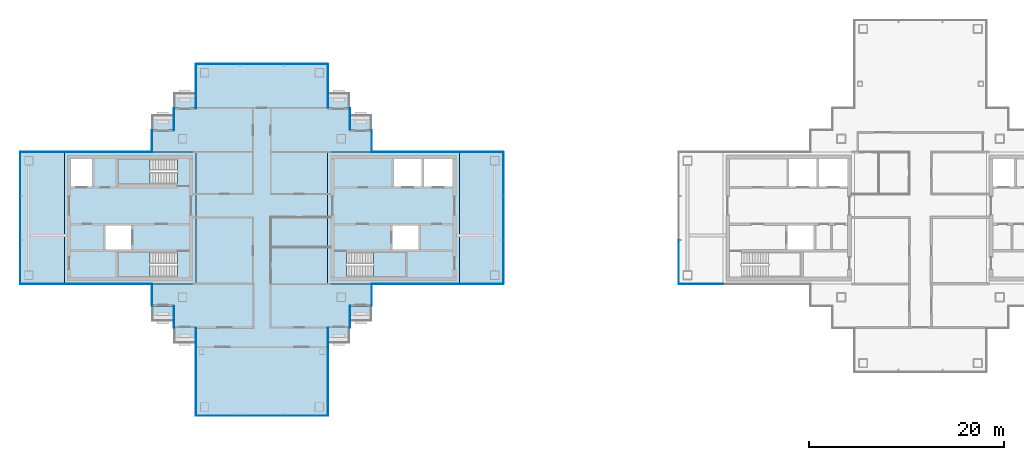
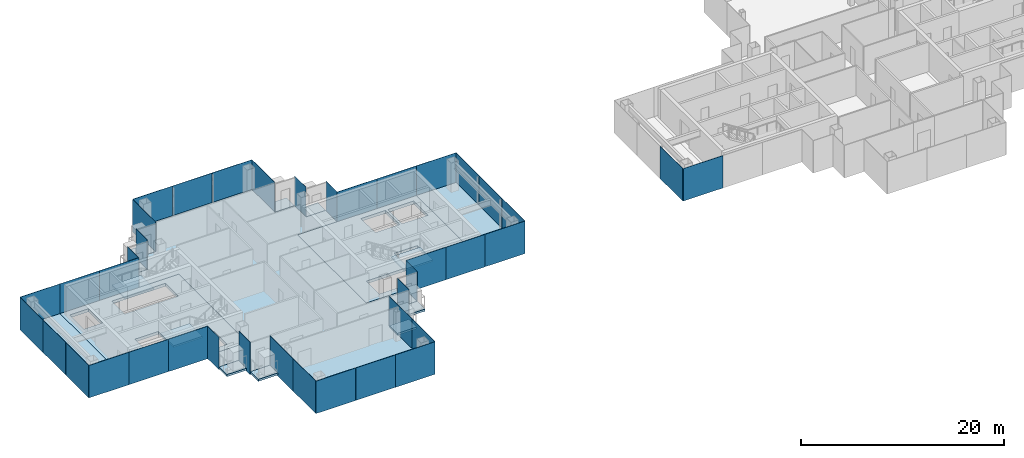
# One storey, part 7 of 16: 40 plates, 16 slabs, 25 elements without a shape of their own.
"""IFC4 building model written with IfcOpenShell, lengths in metres."""

from ifc_helpers import new_model, si_unit, direction, frame, origin, origin_2d, place, context, subcontext, project, spatial, polyline, rectangle, outline, extrude, material, layer, layer_set, type_object, element, aggregate, save


model = new_model("IFC4")

# Units and contexts
model_context = context("Model", 3, precision=1e-05, world=origin(), true_north=direction((0.0, 1.0)))
body_context = subcontext(model_context, "Body", "Model", "MODEL_VIEW")
ifc_project = project(units=[si_unit("LENGTHUNIT", "METRE"), si_unit("AREAUNIT", "SQUARE_METRE"), si_unit("VOLUMEUNIT", "CUBIC_METRE"), si_unit("PLANEANGLEUNIT", "RADIAN"), si_unit("MASSUNIT", "GRAM", prefix="KILO")], contexts=[model_context])

# Site, building, storey
site_placement = place(None, origin())
site = spatial("IfcSite", under=ifc_project, at=site_placement, CompositionType="ELEMENT")
building_placement = place(site_placement, origin())
building = spatial("IfcBuilding", under=site, at=building_placement, Name="Shamsa Quay Exchange Towers", CompositionType="ELEMENT")
storey_placement = place(building_placement, frame((0.0, 0.0, 265.5)))
storey = spatial("IfcBuildingStorey", under=building, at=storey_placement, Name="L64", CompositionType="ELEMENT", Elevation=265.5)

# Slabs
ifc_material_1 = material(Name="Precast concrete C40/50", Category="concrete")
ifc_layer_1 = layer(ifc_material_1, 0.25)
ifc_layer_set_1 = layer_set([ifc_layer_1], Name="BALCONY SLAB 250")
slab_type_1 = type_object("IfcSlabType", Name="BALCONY SLAB 250", PredefinedType="FLOOR", material=ifc_layer_set_1)
slab_1_placement = place(storey_placement, frame((0.0, 0.0, -0.25)))
element("IfcSlab", 1, at=slab_1_placement, inside=storey, type_object=slab_type_1, Name="Balcony T1-PKEN L64", PredefinedType="FLOOR", context=body_context, shape_type="SweptSolid", body=[
    extrude(outline(polyline([(-22.5, 9.0), (-24.7119140625, 9.0), (-24.7119140625, 10.550048828125), (-22.5, 10.550048828125), (-22.5, 9.0)])), origin(), (0.0, 0.0, 1.0), 0.25),
])
slab_2_placement = place(storey_placement, frame((0.0, 0.0, -0.25)))
element("IfcSlab", 2, at=slab_2_placement, inside=storey, type_object=slab_type_1, Name="Balcony T1-PKEN L64", PredefinedType="FLOOR", context=body_context, shape_type="SweptSolid", body=[
    extrude(outline(polyline([(-24.75, 11.25), (-26.9619140625, 11.25), (-26.9619140625, 12.800048828125), (-24.75, 12.800048828125), (-24.75, 11.25)])), origin(), (0.0, 0.0, 1.0), 0.25),
])
slab_3_placement = place(storey_placement, frame((0.0, 0.0, -0.25)))
element("IfcSlab", 3, at=slab_3_placement, inside=storey, type_object=slab_type_1, Name="Balcony T1-PKES L64", PredefinedType="FLOOR", context=body_context, shape_type="SweptSolid", body=[
    extrude(outline(polyline([(-24.7119140625, -9.0), (-22.5, -9.0), (-22.5, -10.550048828125), (-24.7119140625, -10.550048828125), (-24.7119140625, -9.0)])), origin(), (0.0, 0.0, 1.0), 0.25),
])
slab_4_placement = place(storey_placement, frame((0.0, 0.0, -0.25)))
element("IfcSlab", 4, at=slab_4_placement, inside=storey, type_object=slab_type_1, Name="Balcony T1-PKES L64", PredefinedType="FLOOR", context=body_context, shape_type="SweptSolid", body=[
    extrude(outline(polyline([(-26.9619140625, -11.25), (-24.75, -11.25), (-24.75, -12.800048828125), (-26.9619140625, -12.800048828125), (-26.9619140625, -11.25)])), origin(), (0.0, 0.0, 1.0), 0.25),
])
slab_5_placement = place(storey_placement, frame((0.0, 0.0, -0.25)))
element("IfcSlab", 5, at=slab_5_placement, inside=storey, type_object=slab_type_1, Name="Balcony T1-PKWN L64", PredefinedType="FLOOR", context=body_context, shape_type="SweptSolid", body=[
    extrude(outline(polyline([(-40.5380859375, 11.25), (-42.75, 11.25), (-42.75, 12.800048828125), (-40.5380859375, 12.800048828125), (-40.5380859375, 11.25)])), origin(), (0.0, 0.0, 1.0), 0.25),
])
slab_6_placement = place(storey_placement, frame((0.0, 0.0, -0.25)))
element("IfcSlab", 6, at=slab_6_placement, inside=storey, type_object=slab_type_1, Name="Balcony T1-PKWN L64", PredefinedType="FLOOR", context=body_context, shape_type="SweptSolid", body=[
    extrude(outline(polyline([(-42.7880859375, 9.0), (-45.0, 9.0), (-45.0, 10.550048828125), (-42.7880859375, 10.550048828125), (-42.7880859375, 9.0)])), origin(), (0.0, 0.0, 1.0), 0.25),
])
slab_7_placement = place(storey_placement, frame((0.0, 0.0, -0.25)))
element("IfcSlab", 7, at=slab_7_placement, inside=storey, type_object=slab_type_1, Name="Balcony T1-PKWS L64", PredefinedType="FLOOR", context=body_context, shape_type="SweptSolid", body=[
    extrude(outline(polyline([(-45.0, -9.0), (-42.7880859375, -9.0), (-42.7880859375, -10.550048828125), (-45.0, -10.550048828125), (-45.0, -9.0)])), origin(), (0.0, 0.0, 1.0), 0.25),
])
slab_8_placement = place(storey_placement, frame((0.0, 0.0, -0.25)))
element("IfcSlab", 8, at=slab_8_placement, inside=storey, type_object=slab_type_1, Name="Balcony T1-PKWS L64", PredefinedType="FLOOR", context=body_context, shape_type="SweptSolid", body=[
    extrude(outline(polyline([(-42.75, -11.25), (-40.5380859375, -11.25), (-40.5380859375, -12.800048828125), (-42.75, -12.800048828125), (-42.75, -11.25)])), origin(), (0.0, 0.0, 1.0), 0.25),
])
ifc_material_2 = material(Name="Concrete C50/60", Category="concrete")
ifc_layer_2 = layer(ifc_material_2, 0.35009765625)
ifc_layer_set_2 = layer_set([ifc_layer_2], Name="CORE FLOOR 350 C50/60")
slab_type_2 = type_object("IfcSlabType", Name="CORE FLOOR 350 C50/60", PredefinedType="FLOOR", material=ifc_layer_set_2)
slab_9_placement = place(storey_placement, frame((0.0, 0.0, -0.35009765625)))
element("IfcSlab", 9, at=slab_9_placement, inside=storey, type_object=slab_type_2, Name="Core floor T1A", PredefinedType="FLOOR", context=body_context, shape_type="SweptSolid", body=[
    extrude(outline(polyline([(-27.0, -6.75), (-13.5, -6.75), (-13.5, 6.75), (-27.0, 6.75), (-27.0, -6.75)]), holes=[polyline([(-25.099365234375, -6.050048828125), (-25.099365234375, -3.5), (-19.0, -3.5), (-19.0, -6.050048828125), (-25.099365234375, -6.050048828125)]), polyline([(-20.199951171875, 3.25), (-20.199951171875, 6.050048828125), (-17.39990234375, 6.050048828125), (-17.39990234375, 3.25), (-20.199951171875, 3.25)]), polyline([(-17.14990234375, 3.25), (-17.14990234375, 6.050048828125), (-14.199951171875, 6.050048828125), (-14.199951171875, 3.25), (-17.14990234375, 3.25)]), polyline([(-20.35009765625, -3.25), (-20.35009765625, -0.75), (-17.699951171875, -0.75), (-17.699951171875, -3.25), (-20.35009765625, -3.25)])]), origin(), (0.0, 0.0, 1.0), 0.35009765625),
])
slab_10_placement = place(storey_placement, frame((0.0, 0.0, -0.35009765625)))
element("IfcSlab", 10, at=slab_10_placement, inside=storey, type_object=slab_type_2, Name="Core floor T1B", PredefinedType="FLOOR", context=body_context, shape_type="SweptSolid", body=[
    extrude(outline(polyline([(-40.5, -6.75), (-40.5, 6.75), (-54.0, 6.75), (-54.0, -6.75), (-40.5, -6.75)]), holes=[polyline([(-42.400634765625, -3.5), (-42.400634765625, -6.050048828125), (-48.5, -6.050048828125), (-48.5, -3.5), (-42.400634765625, -3.5)]), polyline([(-42.400634765625, 6.050048828125), (-42.400634765625, 3.5), (-48.5, 3.5), (-48.5, 6.050048828125), (-42.400634765625, 6.050048828125)]), polyline([(-51.14990234375, 3.25), (-53.300048828125, 3.25), (-53.300048828125, 6.050048828125), (-51.14990234375, 6.050048828125), (-51.14990234375, 3.25)]), polyline([(-47.14990234375, -3.25), (-49.800048828125, -3.25), (-49.800048828125, -0.75), (-47.14990234375, -0.75), (-47.14990234375, -3.25)])]), origin(), (0.0, 0.0, 1.0), 0.35009765625),
])

# Stair, slab
ifc_material_3 = material(Name="Concrete C40/50", Category="concrete")
stair_type = type_object("IfcStairType", Name="EXIT STAIR 22 RISERS 177 MM", PredefinedType="HALF_TURN_STAIR", material=ifc_material_3)
stair_1_placement = place(storey_placement, origin())
stair_1 = element("IfcStair", 11, at=stair_1_placement, inside=storey, type_object=stair_type, Name="L64 Exit stair ST1", PredefinedType="HALF_TURN_STAIR")
ifc_layer_3 = layer(ifc_material_3, 0.199951171875)
ifc_layer_set_3 = layer_set([ifc_layer_3], Name="CORE STAIR LANDING")
slab_type_3 = type_object("IfcSlabType", Name="CORE STAIR LANDING", PredefinedType="LANDING", material=ifc_layer_set_3)
slab_11_placement = place(storey_placement, frame((0.0, 0.0, 1.75)))
slab_11 = element("IfcSlab", 12, at=slab_11_placement, type_object=slab_type_3, Name="ST1 landing 1", PredefinedType="LANDING", context=body_context, shape_type="SweptSolid", body=[
    extrude(outline(polyline([(-22.300048828125, -6.050048828125), (-19.0, -6.050048828125), (-19.0, -3.5), (-22.300048828125, -3.5), (-22.300048828125, -6.050048828125)])), origin(), (0.0, 0.0, 1.0), 0.199951171875),
])
aggregate(stair_1, [slab_11])

stair_2_placement = place(storey_placement, origin())
stair_2 = element("IfcStair", 13, at=stair_2_placement, inside=storey, type_object=stair_type, Name="L64 Exit stair ST2", PredefinedType="HALF_TURN_STAIR")
slab_12_placement = place(storey_placement, frame((0.0, 0.0, 1.75)))
slab_12 = element("IfcSlab", 14, at=slab_12_placement, type_object=slab_type_3, Name="ST2 landing 1", PredefinedType="LANDING", context=body_context, shape_type="SweptSolid", body=[
    extrude(outline(polyline([(-45.199951171875, -3.5), (-48.5, -3.5), (-48.5, -6.050048828125), (-45.199951171875, -6.050048828125), (-45.199951171875, -3.5)])), origin(), (0.0, 0.0, 1.0), 0.199951171875),
])
aggregate(stair_2, [slab_12])

stair_3_placement = place(storey_placement, origin())
stair_3 = element("IfcStair", 15, at=stair_3_placement, inside=storey, type_object=stair_type, Name="L64 Exit stair ST3", PredefinedType="HALF_TURN_STAIR")
slab_13_placement = place(storey_placement, frame((0.0, 0.0, 1.75)))
slab_13 = element("IfcSlab", 16, at=slab_13_placement, type_object=slab_type_3, Name="ST3 landing 1", PredefinedType="LANDING", context=body_context, shape_type="SweptSolid", body=[
    extrude(outline(polyline([(-45.199951171875, 6.050048828125), (-48.5, 6.050048828125), (-48.5, 3.5), (-45.199951171875, 3.5), (-45.199951171875, 6.050048828125)])), origin(), (0.0, 0.0, 1.0), 0.199951171875),
])
aggregate(stair_3, [slab_13])

# Curtain wall, plates
ifc_material_4 = material(Name="Aluminium EN AW-6063 T6, black anodised", Category="aluminium")
ifc_layer_4 = layer(ifc_material_4, 0.280029296875)
ifc_layer_set_4 = layer_set([ifc_layer_4], Name="CW-1 UNITISED VISION GLASS")
curtain_wall_type_1 = type_object("IfcCurtainWallType", Name="CW-1 UNITISED VISION GLASS", PredefinedType="NOTDEFINED", material=ifc_layer_set_4)
curtain_wall_1_placement = place(storey_placement, origin())
curtain_wall_1 = element("IfcCurtainWall", 17, at=curtain_wall_1_placement, inside=storey, type_object=curtain_wall_type_1, Name="CW1 T1-FLK-V-W L64", PredefinedType="NOTDEFINED")
ifc_material_5 = material(Name="Glass, laminated, dark tinted", Category="glass")
ifc_layer_5 = layer(ifc_material_5, 0.0400390625)
ifc_layer_set_5 = layer_set([ifc_layer_5], Name="CW-1 VISION GLASS 40")
plate_type_1 = type_object("IfcPlateType", Name="CW-1 VISION GLASS 40", PredefinedType="CURTAIN_PANEL", material=ifc_layer_set_5)
plate_1_placement = place(storey_placement, frame((-40.52001953125, -13.52587890625, -0.349853515625), z_axis=(0.0, 0.0, 1.0), x_axis=(0.0, -1.0, 0.0)))
plate_1 = element("IfcPlate", 18, at=plate_1_placement, type_object=plate_type_1, Name="CW1 glass panel", PredefinedType="CURTAIN_PANEL", context=body_context, shape_type="SweptSolid", body=[
    extrude(rectangle(XDim=4.47607421875, YDim=0.0400390625, at=origin_2d()), origin(), (0.0, 0.0, 1.0), 3.89990234375),
])
plate_2_placement = place(storey_placement, frame((-40.52001953125, -18.011962890625, -0.349853515625), z_axis=(0.0, 0.0, 1.0), x_axis=(0.0, -1.0, 0.0)))
plate_2 = element("IfcPlate", 19, at=plate_2_placement, type_object=plate_type_1, Name="CW1 glass panel", PredefinedType="CURTAIN_PANEL", context=body_context, shape_type="SweptSolid", body=[
    extrude(rectangle(XDim=4.47607421875, YDim=0.0400390625, at=origin_2d()), origin(), (0.0, 0.0, 1.0), 3.89990234375),
])
aggregate(curtain_wall_1, [plate_1, plate_2])

curtain_wall_2_placement = place(storey_placement, origin())
curtain_wall_2 = element("IfcCurtainWall", 20, at=curtain_wall_2_placement, inside=storey, type_object=curtain_wall_type_1, Name="CW1 T1-END-V- L64", PredefinedType="NOTDEFINED")
plate_3_placement = place(storey_placement, frame((-38.25244140625, -20.27001953125, -0.349853515625)))
plate_3 = element("IfcPlate", 21, at=plate_3_placement, type_object=plate_type_1, Name="CW1 glass panel", PredefinedType="CURTAIN_PANEL", context=body_context, shape_type="SweptSolid", body=[
    extrude(rectangle(XDim=4.4951171875, YDim=0.0400390625, at=origin_2d()), origin(), (0.0, 0.0, 1.0), 3.89990234375),
])
plate_4_placement = place(storey_placement, frame((-33.75, -20.27001953125, -0.349853515625)))
plate_4 = element("IfcPlate", 22, at=plate_4_placement, type_object=plate_type_1, Name="CW1 glass panel", PredefinedType="CURTAIN_PANEL", context=body_context, shape_type="SweptSolid", body=[
    extrude(rectangle(XDim=4.489990234375, YDim=0.0400390625, at=origin_2d()), origin(), (0.0, 0.0, 1.0), 3.89990234375),
])
plate_5_placement = place(storey_placement, frame((-29.24755859375, -20.27001953125, -0.349853515625)))
plate_5 = element("IfcPlate", 23, at=plate_5_placement, type_object=plate_type_1, Name="CW1 glass panel", PredefinedType="CURTAIN_PANEL", context=body_context, shape_type="SweptSolid", body=[
    extrude(rectangle(XDim=4.4951171875, YDim=0.0400390625, at=origin_2d()), origin(), (0.0, 0.0, 1.0), 3.89990234375),
])
aggregate(curtain_wall_2, [plate_3, plate_4, plate_5])

curtain_wall_3_placement = place(storey_placement, origin())
curtain_wall_3 = element("IfcCurtainWall", 24, at=curtain_wall_3_placement, inside=storey, type_object=curtain_wall_type_1, Name="CW1 T1-FLK-V-E L64", PredefinedType="NOTDEFINED")
plate_6_placement = place(storey_placement, frame((-26.97998046875, -18.00244140625, -0.349853515625), z_axis=(0.0, 0.0, 1.0), x_axis=(0.0, 1.0, 0.0)))
plate_6 = element("IfcPlate", 25, at=plate_6_placement, type_object=plate_type_1, Name="CW1 glass panel", PredefinedType="CURTAIN_PANEL", context=body_context, shape_type="SweptSolid", body=[
    extrude(rectangle(XDim=4.4951171875, YDim=0.0400390625, at=origin_2d()), origin(), (0.0, 0.0, 1.0), 3.89990234375),
])
plate_7_placement = place(storey_placement, frame((-26.97998046875, -13.49755859375, -0.349853515625), z_axis=(0.0, 0.0, 1.0), x_axis=(0.0, 1.0, 0.0)))
plate_7 = element("IfcPlate", 26, at=plate_7_placement, type_object=plate_type_1, Name="CW1 glass panel", PredefinedType="CURTAIN_PANEL", context=body_context, shape_type="SweptSolid", body=[
    extrude(rectangle(XDim=4.4951171875, YDim=0.0400390625, at=origin_2d()), origin(), (0.0, 0.0, 1.0), 3.89990234375),
])
aggregate(curtain_wall_3, [plate_6, plate_7])

# Curtain wall, plate
curtain_wall_4_placement = place(storey_placement, origin())
curtain_wall_4 = element("IfcCurtainWall", 27, at=curtain_wall_4_placement, inside=storey, type_object=curtain_wall_type_1, Name="CW1 T1-FLK-U+S L64", PredefinedType="NOTDEFINED")
plate_8_placement = place(storey_placement, frame((-11.25, -6.77001953125, -0.349853515625)))
plate_8 = element("IfcPlate", 28, at=plate_8_placement, type_object=plate_type_1, Name="CW1 glass panel", PredefinedType="CURTAIN_PANEL", context=body_context, shape_type="SweptSolid", body=[
    extrude(rectangle(XDim=4.5, YDim=0.0400390625, at=origin_2d()), origin(), (0.0, 0.0, 1.0), 3.89990234375),
])
aggregate(curtain_wall_4, [plate_8])

# Curtain wall, plates
curtain_wall_5_placement = place(storey_placement, origin())
curtain_wall_5 = element("IfcCurtainWall", 29, at=curtain_wall_5_placement, inside=storey, type_object=curtain_wall_type_1, Name="CW1 T1-END-U+ L64", PredefinedType="NOTDEFINED")
plate_9_placement = place(storey_placement, frame((-8.97998046875, -4.50244140625, -0.349853515625), z_axis=(0.0, 0.0, 1.0), x_axis=(0.0, 1.0, 0.0)))
plate_9 = element("IfcPlate", 30, at=plate_9_placement, type_object=plate_type_1, Name="CW1 glass panel", PredefinedType="CURTAIN_PANEL", context=body_context, shape_type="SweptSolid", body=[
    extrude(rectangle(XDim=4.4951171875, YDim=0.0400390625, at=origin_2d()), origin(), (0.0, 0.0, 1.0), 3.89990234375),
])
plate_10_placement = place(storey_placement, frame((-8.97998046875, 0.0, -0.349853515625), z_axis=(0.0, 0.0, 1.0), x_axis=(0.0, 1.0, 0.0)))
plate_10 = element("IfcPlate", 31, at=plate_10_placement, type_object=plate_type_1, Name="CW1 glass panel", PredefinedType="CURTAIN_PANEL", context=body_context, shape_type="SweptSolid", body=[
    extrude(rectangle(XDim=4.489990234375, YDim=0.0400390625, at=origin_2d()), origin(), (0.0, 0.0, 1.0), 3.89990234375),
])
plate_11_placement = place(storey_placement, frame((-8.97998046875, 4.50244140625, -0.349853515625), z_axis=(0.0, 0.0, 1.0), x_axis=(0.0, 1.0, 0.0)))
plate_11 = element("IfcPlate", 32, at=plate_11_placement, type_object=plate_type_1, Name="CW1 glass panel", PredefinedType="CURTAIN_PANEL", context=body_context, shape_type="SweptSolid", body=[
    extrude(rectangle(XDim=4.4951171875, YDim=0.0400390625, at=origin_2d()), origin(), (0.0, 0.0, 1.0), 3.89990234375),
])
aggregate(curtain_wall_5, [plate_9, plate_10, plate_11])

# Curtain wall, plate
curtain_wall_6_placement = place(storey_placement, origin())
curtain_wall_6 = element("IfcCurtainWall", 33, at=curtain_wall_6_placement, inside=storey, type_object=curtain_wall_type_1, Name="CW1 T1-FLK-U+N L64", PredefinedType="NOTDEFINED")
plate_12_placement = place(storey_placement, frame((-11.25, 6.77001953125, -0.349853515625), z_axis=(0.0, 0.0, 1.0), x_axis=(-1.0, 0.0, 0.0)))
plate_12 = element("IfcPlate", 34, at=plate_12_placement, type_object=plate_type_1, Name="CW1 glass panel", PredefinedType="CURTAIN_PANEL", context=body_context, shape_type="SweptSolid", body=[
    extrude(rectangle(XDim=4.5, YDim=0.0400390625, at=origin_2d()), origin(), (0.0, 0.0, 1.0), 3.89990234375),
])
aggregate(curtain_wall_6, [plate_12])

curtain_wall_7_placement = place(storey_placement, origin())
curtain_wall_7 = element("IfcCurtainWall", 35, at=curtain_wall_7_placement, inside=storey, type_object=curtain_wall_type_1, Name="CW1 T1-FLK-V+E L64", PredefinedType="NOTDEFINED")
plate_13_placement = place(storey_placement, frame((-26.97998046875, 13.51904296875, -0.349853515625), z_axis=(0.0, 0.0, 1.0), x_axis=(0.0, 1.0, 0.0)))
plate_13 = element("IfcPlate", 36, at=plate_13_placement, type_object=plate_type_1, Name="CW1 glass panel", PredefinedType="CURTAIN_PANEL", context=body_context, shape_type="SweptSolid", body=[
    extrude(rectangle(XDim=4.4619140625, YDim=0.0400390625, at=origin_2d()), origin(), (0.0, 0.0, 1.0), 3.89990234375),
])
aggregate(curtain_wall_7, [plate_13])

# Curtain wall, plates
curtain_wall_8_placement = place(storey_placement, origin())
curtain_wall_8 = element("IfcCurtainWall", 37, at=curtain_wall_8_placement, inside=storey, type_object=curtain_wall_type_1, Name="CW1 T1-END-V+ L64", PredefinedType="NOTDEFINED")
plate_14_placement = place(storey_placement, frame((-29.24755859375, 15.77001953125, -0.349853515625), z_axis=(0.0, 0.0, 1.0), x_axis=(-1.0, 0.0, 0.0)))
plate_14 = element("IfcPlate", 38, at=plate_14_placement, type_object=plate_type_1, Name="CW1 glass panel", PredefinedType="CURTAIN_PANEL", context=body_context, shape_type="SweptSolid", body=[
    extrude(rectangle(XDim=4.4951171875, YDim=0.0400390625, at=origin_2d()), origin(), (0.0, 0.0, 1.0), 3.89990234375),
])
plate_15_placement = place(storey_placement, frame((-33.75, 15.77001953125, -0.349853515625), z_axis=(0.0, 0.0, 1.0), x_axis=(-1.0, 0.0, 0.0)))
plate_15 = element("IfcPlate", 39, at=plate_15_placement, type_object=plate_type_1, Name="CW1 glass panel", PredefinedType="CURTAIN_PANEL", context=body_context, shape_type="SweptSolid", body=[
    extrude(rectangle(XDim=4.489990234375, YDim=0.0400390625, at=origin_2d()), origin(), (0.0, 0.0, 1.0), 3.89990234375),
])
plate_16_placement = place(storey_placement, frame((-38.25244140625, 15.77001953125, -0.349853515625), z_axis=(0.0, 0.0, 1.0), x_axis=(-1.0, 0.0, 0.0)))
plate_16 = element("IfcPlate", 40, at=plate_16_placement, type_object=plate_type_1, Name="CW1 glass panel", PredefinedType="CURTAIN_PANEL", context=body_context, shape_type="SweptSolid", body=[
    extrude(rectangle(XDim=4.4951171875, YDim=0.0400390625, at=origin_2d()), origin(), (0.0, 0.0, 1.0), 3.89990234375),
])
aggregate(curtain_wall_8, [plate_14, plate_15, plate_16])

# Curtain wall, plate
curtain_wall_9_placement = place(storey_placement, origin())
curtain_wall_9 = element("IfcCurtainWall", 41, at=curtain_wall_9_placement, inside=storey, type_object=curtain_wall_type_1, Name="CW1 T1-FLK-V+W L64", PredefinedType="NOTDEFINED")
plate_17_placement = place(storey_placement, frame((-40.52001953125, 13.5, -0.349853515625), z_axis=(0.0, 0.0, 1.0), x_axis=(0.0, -1.0, 0.0)))
plate_17 = element("IfcPlate", 42, at=plate_17_placement, type_object=plate_type_1, Name="CW1 glass panel", PredefinedType="CURTAIN_PANEL", context=body_context, shape_type="SweptSolid", body=[
    extrude(rectangle(XDim=4.5, YDim=0.0400390625, at=origin_2d()), origin(), (0.0, 0.0, 1.0), 3.89990234375),
])
aggregate(curtain_wall_9, [plate_17])

curtain_wall_10_placement = place(storey_placement, origin())
curtain_wall_10 = element("IfcCurtainWall", 43, at=curtain_wall_10_placement, inside=storey, type_object=curtain_wall_type_1, Name="CW1 T1-FLK-U-N L64", PredefinedType="NOTDEFINED")
plate_18_placement = place(storey_placement, frame((-56.25, 6.77001953125, -0.349853515625), z_axis=(0.0, 0.0, 1.0), x_axis=(-1.0, 0.0, 0.0)))
plate_18 = element("IfcPlate", 44, at=plate_18_placement, type_object=plate_type_1, Name="CW1 glass panel", PredefinedType="CURTAIN_PANEL", context=body_context, shape_type="SweptSolid", body=[
    extrude(rectangle(XDim=4.5, YDim=0.0400390625, at=origin_2d()), origin(), (0.0, 0.0, 1.0), 3.89990234375),
])
aggregate(curtain_wall_10, [plate_18])

# Curtain wall, plates
curtain_wall_11_placement = place(storey_placement, origin())
curtain_wall_11 = element("IfcCurtainWall", 45, at=curtain_wall_11_placement, inside=storey, type_object=curtain_wall_type_1, Name="CW1 T1-END-U- L64", PredefinedType="NOTDEFINED")
plate_19_placement = place(storey_placement, frame((-58.52001953125, 4.50244140625, -0.349853515625), z_axis=(0.0, 0.0, 1.0), x_axis=(0.0, -1.0, 0.0)))
plate_19 = element("IfcPlate", 46, at=plate_19_placement, type_object=plate_type_1, Name="CW1 glass panel", PredefinedType="CURTAIN_PANEL", context=body_context, shape_type="SweptSolid", body=[
    extrude(rectangle(XDim=4.4951171875, YDim=0.0400390625, at=origin_2d()), origin(), (0.0, 0.0, 1.0), 3.89990234375),
])
plate_20_placement = place(storey_placement, frame((-58.52001953125, 0.0, -0.349853515625), z_axis=(0.0, 0.0, 1.0), x_axis=(0.0, -1.0, 0.0)))
plate_20 = element("IfcPlate", 47, at=plate_20_placement, type_object=plate_type_1, Name="CW1 glass panel", PredefinedType="CURTAIN_PANEL", context=body_context, shape_type="SweptSolid", body=[
    extrude(rectangle(XDim=4.489990234375, YDim=0.0400390625, at=origin_2d()), origin(), (0.0, 0.0, 1.0), 3.89990234375),
])
plate_21_placement = place(storey_placement, frame((-58.52001953125, -4.50244140625, -0.349853515625), z_axis=(0.0, 0.0, 1.0), x_axis=(0.0, -1.0, 0.0)))
plate_21 = element("IfcPlate", 48, at=plate_21_placement, type_object=plate_type_1, Name="CW1 glass panel", PredefinedType="CURTAIN_PANEL", context=body_context, shape_type="SweptSolid", body=[
    extrude(rectangle(XDim=4.4951171875, YDim=0.0400390625, at=origin_2d()), origin(), (0.0, 0.0, 1.0), 3.89990234375),
])
aggregate(curtain_wall_11, [plate_19, plate_20, plate_21])

# Curtain wall, plate
curtain_wall_12_placement = place(storey_placement, origin())
curtain_wall_12 = element("IfcCurtainWall", 49, at=curtain_wall_12_placement, inside=storey, type_object=curtain_wall_type_1, Name="CW1 T1-FLK-U-S L64", PredefinedType="NOTDEFINED")
plate_22_placement = place(storey_placement, frame((-56.25, -6.77001953125, -0.349853515625)))
plate_22 = element("IfcPlate", 50, at=plate_22_placement, type_object=plate_type_1, Name="CW1 glass panel", PredefinedType="CURTAIN_PANEL", context=body_context, shape_type="SweptSolid", body=[
    extrude(rectangle(XDim=4.5, YDim=0.0400390625, at=origin_2d()), origin(), (0.0, 0.0, 1.0), 3.89990234375),
])
aggregate(curtain_wall_12, [plate_22])

curtain_wall_13_placement = place(storey_placement, origin())
curtain_wall_13 = element("IfcCurtainWall", 51, at=curtain_wall_13_placement, inside=storey, type_object=curtain_wall_type_1, Name="CW1 T2-END-V+ L64", PredefinedType="NOTDEFINED")
plate_23_placement = place(storey_placement, frame((8.97998046875, -4.50244140625, -0.349853515625), z_axis=(0.0, 0.0, 1.0), x_axis=(0.0, -1.0, 0.0)))
plate_23 = element("IfcPlate", 52, at=plate_23_placement, type_object=plate_type_1, Name="CW1 glass panel", PredefinedType="CURTAIN_PANEL", context=body_context, shape_type="SweptSolid", body=[
    extrude(rectangle(XDim=4.4951171875, YDim=0.0400390625, at=origin_2d()), origin(), (0.0, 0.0, 1.0), 3.89990234375),
])
aggregate(curtain_wall_13, [plate_23])

curtain_wall_14_placement = place(storey_placement, origin())
curtain_wall_14 = element("IfcCurtainWall", 53, at=curtain_wall_14_placement, inside=storey, type_object=curtain_wall_type_1, Name="CW1 T2-FLK-V+W L64", PredefinedType="NOTDEFINED")
plate_24_placement = place(storey_placement, frame((11.25, -6.77001953125, -0.349853515625)))
plate_24 = element("IfcPlate", 54, at=plate_24_placement, type_object=plate_type_1, Name="CW1 glass panel", PredefinedType="CURTAIN_PANEL", context=body_context, shape_type="SweptSolid", body=[
    extrude(rectangle(XDim=4.5, YDim=0.0400390625, at=origin_2d()), origin(), (0.0, 0.0, 1.0), 3.89990234375),
])
aggregate(curtain_wall_14, [plate_24])

# Curtain wall, plates
ifc_layer_6 = layer(ifc_material_4, 0.303955078125)
ifc_layer_set_6 = layer_set([ifc_layer_6], Name="CW-2 UNITISED OPAQUE SPANDREL GLASS")
curtain_wall_type_2 = type_object("IfcCurtainWallType", Name="CW-2 UNITISED OPAQUE SPANDREL GLASS", PredefinedType="NOTDEFINED", material=ifc_layer_set_6)
curtain_wall_15_placement = place(storey_placement, origin())
curtain_wall_15 = element("IfcCurtainWall", 55, at=curtain_wall_15_placement, inside=storey, type_object=curtain_wall_type_2, Name="CW2 T1-FLK-U+S L64", PredefinedType="NOTDEFINED")
ifc_material_6 = material(Name="Glass, laminated, black enamelled opaque", Category="glass")
ifc_layer_7 = layer(ifc_material_6, 0.0439453125)
ifc_layer_set_7 = layer_set([ifc_layer_7], Name="CW-2 SPANDREL GLASS 44")
plate_type_2 = type_object("IfcPlateType", Name="CW-2 SPANDREL GLASS 44", PredefinedType="CURTAIN_PANEL", material=ifc_layer_set_7)
plate_25_placement = place(storey_placement, frame((-20.22412109375, -6.77197265625, -0.349853515625)))
plate_25 = element("IfcPlate", 56, at=plate_25_placement, type_object=plate_type_2, Name="CW2 glass panel", PredefinedType="CURTAIN_PANEL", context=body_context, shape_type="SweptSolid", body=[
    extrude(rectangle(XDim=4.47607421875, YDim=0.0439453125, at=origin_2d()), origin(), (0.0, 0.0, 1.0), 3.89990234375),
])
plate_26_placement = place(storey_placement, frame((-15.738037109375, -6.77197265625, -0.349853515625)))
plate_26 = element("IfcPlate", 57, at=plate_26_placement, type_object=plate_type_2, Name="CW2 glass panel", PredefinedType="CURTAIN_PANEL", context=body_context, shape_type="SweptSolid", body=[
    extrude(rectangle(XDim=4.47607421875, YDim=0.0439453125, at=origin_2d()), origin(), (0.0, 0.0, 1.0), 3.89990234375),
])
aggregate(curtain_wall_15, [plate_25, plate_26])

curtain_wall_16_placement = place(storey_placement, origin())
curtain_wall_16 = element("IfcCurtainWall", 58, at=curtain_wall_16_placement, inside=storey, type_object=curtain_wall_type_2, Name="CW2 T1-FLK-U+N L64", PredefinedType="NOTDEFINED")
plate_27_placement = place(storey_placement, frame((-15.74755859375, 6.77197265625, -0.349853515625), z_axis=(0.0, 0.0, 1.0), x_axis=(-1.0, 0.0, 0.0)))
plate_27 = element("IfcPlate", 59, at=plate_27_placement, type_object=plate_type_2, Name="CW2 glass panel", PredefinedType="CURTAIN_PANEL", context=body_context, shape_type="SweptSolid", body=[
    extrude(rectangle(XDim=4.4951171875, YDim=0.0439453125, at=origin_2d()), origin(), (0.0, 0.0, 1.0), 3.89990234375),
])
plate_28_placement = place(storey_placement, frame((-20.25244140625, 6.77197265625, -0.349853515625), z_axis=(0.0, 0.0, 1.0), x_axis=(-1.0, 0.0, 0.0)))
plate_28 = element("IfcPlate", 60, at=plate_28_placement, type_object=plate_type_2, Name="CW2 glass panel", PredefinedType="CURTAIN_PANEL", context=body_context, shape_type="SweptSolid", body=[
    extrude(rectangle(XDim=4.4951171875, YDim=0.0439453125, at=origin_2d()), origin(), (0.0, 0.0, 1.0), 3.89990234375),
])
aggregate(curtain_wall_16, [plate_27, plate_28])

curtain_wall_17_placement = place(storey_placement, origin())
curtain_wall_17 = element("IfcCurtainWall", 61, at=curtain_wall_17_placement, inside=storey, type_object=curtain_wall_type_2, Name="CW2 T1-FLK-U-N L64", PredefinedType="NOTDEFINED")
plate_29_placement = place(storey_placement, frame((-47.27587890625, 6.77197265625, -0.349853515625), z_axis=(0.0, 0.0, 1.0), x_axis=(-1.0, 0.0, 0.0)))
plate_29 = element("IfcPlate", 62, at=plate_29_placement, type_object=plate_type_2, Name="CW2 glass panel", PredefinedType="CURTAIN_PANEL", context=body_context, shape_type="SweptSolid", body=[
    extrude(rectangle(XDim=4.47607421875, YDim=0.0439453125, at=origin_2d()), origin(), (0.0, 0.0, 1.0), 3.89990234375),
])
plate_30_placement = place(storey_placement, frame((-51.761962890625, 6.77197265625, -0.349853515625), z_axis=(0.0, 0.0, 1.0), x_axis=(-1.0, 0.0, 0.0)))
plate_30 = element("IfcPlate", 63, at=plate_30_placement, type_object=plate_type_2, Name="CW2 glass panel", PredefinedType="CURTAIN_PANEL", context=body_context, shape_type="SweptSolid", body=[
    extrude(rectangle(XDim=4.47607421875, YDim=0.0439453125, at=origin_2d()), origin(), (0.0, 0.0, 1.0), 3.89990234375),
])
aggregate(curtain_wall_17, [plate_29, plate_30])

curtain_wall_18_placement = place(storey_placement, origin())
curtain_wall_18 = element("IfcCurtainWall", 64, at=curtain_wall_18_placement, inside=storey, type_object=curtain_wall_type_2, Name="CW2 T1-FLK-U-S L64", PredefinedType="NOTDEFINED")
plate_31_placement = place(storey_placement, frame((-51.75244140625, -6.77197265625, -0.349853515625)))
plate_31 = element("IfcPlate", 65, at=plate_31_placement, type_object=plate_type_2, Name="CW2 glass panel", PredefinedType="CURTAIN_PANEL", context=body_context, shape_type="SweptSolid", body=[
    extrude(rectangle(XDim=4.4951171875, YDim=0.0439453125, at=origin_2d()), origin(), (0.0, 0.0, 1.0), 3.89990234375),
])
plate_32_placement = place(storey_placement, frame((-47.24755859375, -6.77197265625, -0.349853515625)))
plate_32 = element("IfcPlate", 66, at=plate_32_placement, type_object=plate_type_2, Name="CW2 glass panel", PredefinedType="CURTAIN_PANEL", context=body_context, shape_type="SweptSolid", body=[
    extrude(rectangle(XDim=4.4951171875, YDim=0.0439453125, at=origin_2d()), origin(), (0.0, 0.0, 1.0), 3.89990234375),
])
aggregate(curtain_wall_18, [plate_31, plate_32])

ifc_layer_8 = layer(ifc_material_4, 0.256103515625)
ifc_layer_set_8 = layer_set([ifc_layer_8], Name="CW-4 POCKET SERRATED GLAZING")
curtain_wall_type_3 = type_object("IfcCurtainWallType", Name="CW-4 POCKET SERRATED GLAZING", PredefinedType="NOTDEFINED", material=ifc_layer_set_8)
curtain_wall_19_placement = place(storey_placement, origin())
curtain_wall_19 = element("IfcCurtainWall", 67, at=curtain_wall_19_placement, inside=storey, type_object=curtain_wall_type_3, Name="CW4 PKWS L64", PredefinedType="NOTDEFINED")
ifc_layer_9 = layer(ifc_material_5, 0.035888671875)
ifc_layer_set_9 = layer_set([ifc_layer_9], Name="CW-4 POCKET GLASS 36")
plate_type_3 = type_object("IfcPlateType", Name="CW-4 POCKET GLASS 36", PredefinedType="CURTAIN_PANEL", material=ifc_layer_set_9)
plate_33_placement = place(storey_placement, frame((-42.76806640625, -10.14404296875, -0.349853515625), z_axis=(0.0, 0.0, 1.0), x_axis=(0.0, -1.0, 0.0)))
plate_33 = element("IfcPlate", 68, at=plate_33_placement, type_object=plate_type_3, Name="CW4 glass panel", PredefinedType="CURTAIN_PANEL", context=body_context, shape_type="SweptSolid", body=[
    extrude(rectangle(XDim=2.2119140625, YDim=0.035888671875, at=origin_2d()), origin(), (0.0, 0.0, 1.0), 3.89990234375),
])
plate_34_placement = place(storey_placement, frame((-45.01806640625, -7.89794921875, -0.349853515625), z_axis=(0.0, 0.0, 1.0), x_axis=(0.0, -1.0, 0.0)))
plate_34 = element("IfcPlate", 69, at=plate_34_placement, type_object=plate_type_3, Name="CW4 glass panel", PredefinedType="CURTAIN_PANEL", context=body_context, shape_type="SweptSolid", body=[
    extrude(rectangle(XDim=2.2041015625, YDim=0.035888671875, at=origin_2d()), origin(), (0.0, 0.0, 1.0), 3.89990234375),
])
aggregate(curtain_wall_19, [plate_33, plate_34])

curtain_wall_20_placement = place(storey_placement, origin())
curtain_wall_20 = element("IfcCurtainWall", 70, at=curtain_wall_20_placement, inside=storey, type_object=curtain_wall_type_3, Name="CW4 PKES L64", PredefinedType="NOTDEFINED")
plate_35_placement = place(storey_placement, frame((-24.73193359375, -10.125, -0.349853515625), z_axis=(0.0, 0.0, 1.0), x_axis=(0.0, 1.0, 0.0)))
plate_35 = element("IfcPlate", 71, at=plate_35_placement, type_object=plate_type_3, Name="CW4 glass panel", PredefinedType="CURTAIN_PANEL", context=body_context, shape_type="SweptSolid", body=[
    extrude(rectangle(XDim=2.25, YDim=0.035888671875, at=origin_2d()), origin(), (0.0, 0.0, 1.0), 3.89990234375),
])
plate_36_placement = place(storey_placement, frame((-22.48193359375, -7.875, -0.349853515625), z_axis=(0.0, 0.0, 1.0), x_axis=(0.0, 1.0, 0.0)))
plate_36 = element("IfcPlate", 72, at=plate_36_placement, type_object=plate_type_3, Name="CW4 glass panel", PredefinedType="CURTAIN_PANEL", context=body_context, shape_type="SweptSolid", body=[
    extrude(rectangle(XDim=2.25, YDim=0.035888671875, at=origin_2d()), origin(), (0.0, 0.0, 1.0), 3.89990234375),
])
aggregate(curtain_wall_20, [plate_35, plate_36])

curtain_wall_21_placement = place(storey_placement, origin())
curtain_wall_21 = element("IfcCurtainWall", 73, at=curtain_wall_21_placement, inside=storey, type_object=curtain_wall_type_3, Name="CW4 PKEN L64", PredefinedType="NOTDEFINED")
plate_37_placement = place(storey_placement, frame((-22.48193359375, 7.89794921875, -0.349853515625), z_axis=(0.0, 0.0, 1.0), x_axis=(0.0, 1.0, 0.0)))
plate_37 = element("IfcPlate", 74, at=plate_37_placement, type_object=plate_type_3, Name="CW4 glass panel", PredefinedType="CURTAIN_PANEL", context=body_context, shape_type="SweptSolid", body=[
    extrude(rectangle(XDim=2.2041015625, YDim=0.035888671875, at=origin_2d()), origin(), (0.0, 0.0, 1.0), 3.89990234375),
])
plate_38_placement = place(storey_placement, frame((-24.73193359375, 10.14404296875, -0.349853515625), z_axis=(0.0, 0.0, 1.0), x_axis=(0.0, 1.0, 0.0)))
plate_38 = element("IfcPlate", 75, at=plate_38_placement, type_object=plate_type_3, Name="CW4 glass panel", PredefinedType="CURTAIN_PANEL", context=body_context, shape_type="SweptSolid", body=[
    extrude(rectangle(XDim=2.2119140625, YDim=0.035888671875, at=origin_2d()), origin(), (0.0, 0.0, 1.0), 3.89990234375),
])
aggregate(curtain_wall_21, [plate_37, plate_38])

curtain_wall_22_placement = place(storey_placement, origin())
curtain_wall_22 = element("IfcCurtainWall", 76, at=curtain_wall_22_placement, inside=storey, type_object=curtain_wall_type_3, Name="CW4 PKWN L64", PredefinedType="NOTDEFINED")
plate_39_placement = place(storey_placement, frame((-42.76806640625, 10.125, -0.349853515625), z_axis=(0.0, 0.0, 1.0), x_axis=(0.0, -1.0, 0.0)))
plate_39 = element("IfcPlate", 77, at=plate_39_placement, type_object=plate_type_3, Name="CW4 glass panel", PredefinedType="CURTAIN_PANEL", context=body_context, shape_type="SweptSolid", body=[
    extrude(rectangle(XDim=2.25, YDim=0.035888671875, at=origin_2d()), origin(), (0.0, 0.0, 1.0), 3.89990234375),
])
plate_40_placement = place(storey_placement, frame((-45.01806640625, 7.875, -0.349853515625), z_axis=(0.0, 0.0, 1.0), x_axis=(0.0, -1.0, 0.0)))
plate_40 = element("IfcPlate", 78, at=plate_40_placement, type_object=plate_type_3, Name="CW4 glass panel", PredefinedType="CURTAIN_PANEL", context=body_context, shape_type="SweptSolid", body=[
    extrude(rectangle(XDim=2.25, YDim=0.035888671875, at=origin_2d()), origin(), (0.0, 0.0, 1.0), 3.89990234375),
])
aggregate(curtain_wall_22, [plate_39, plate_40])

# Slabs
ifc_layer_10 = layer(ifc_material_3, 0.35009765625)
ifc_layer_set_10 = layer_set([ifc_layer_10], Name="Flat slab 350")
slab_type_4 = type_object("IfcSlabType", Name="Flat slab 350", PredefinedType="FLOOR", material=ifc_layer_set_10)
slab_14_placement = place(storey_placement, frame((0.0, 0.0, -0.35009765625)))
element("IfcSlab", 79, at=slab_14_placement, inside=storey, type_object=slab_type_4, Name="Flat slab T1 L64 1", PredefinedType="FLOOR", context=body_context, shape_type="SweptSolid", body=[
    extrude(outline(polyline([(-58.5, -6.75), (-54.0, -6.75), (-54.0, 6.75), (-58.5, 6.75), (-58.5, -6.75)])), origin(), (0.0, 0.0, 1.0), 0.35009765625),
])
slab_15_placement = place(storey_placement, frame((0.0, 0.0, -0.35009765625)))
element("IfcSlab", 80, at=slab_15_placement, inside=storey, type_object=slab_type_4, Name="Flat slab T1 L64 2", PredefinedType="FLOOR", context=body_context, shape_type="SweptSolid", body=[
    extrude(outline(polyline([(-22.5, -9.0), (-22.5, -6.75), (-27.0, -6.75), (-27.0, 6.75), (-22.5, 6.75), (-22.5, 9.0), (-24.75, 9.0), (-24.75, 11.25), (-27.0, 11.25), (-27.0, 15.75), (-40.5, 15.75), (-40.5, 11.25), (-42.75, 11.25), (-42.75, 9.0), (-45.0, 9.0), (-45.0, 6.75), (-40.5, 6.75), (-40.5, -6.75), (-45.0, -6.75), (-45.0, -9.0), (-42.75, -9.0), (-42.75, -11.25), (-40.5, -11.25), (-40.5, -20.25), (-27.0, -20.25), (-27.0, -11.25), (-24.75, -11.25), (-24.75, -9.0), (-22.5, -9.0)])), origin(), (0.0, 0.0, 1.0), 0.35009765625),
])
slab_16_placement = place(storey_placement, frame((0.0, 0.0, -0.35009765625)))
element("IfcSlab", 81, at=slab_16_placement, inside=storey, type_object=slab_type_4, Name="Flat slab T1 L64 3", PredefinedType="FLOOR", context=body_context, shape_type="SweptSolid", body=[
    extrude(outline(polyline([(-9.0, 6.75), (-13.5, 6.75), (-13.5, -6.75), (-9.0, -6.75), (-9.0, 6.75)])), origin(), (0.0, 0.0, 1.0), 0.35009765625),
])

save(model, "model.ifc")
